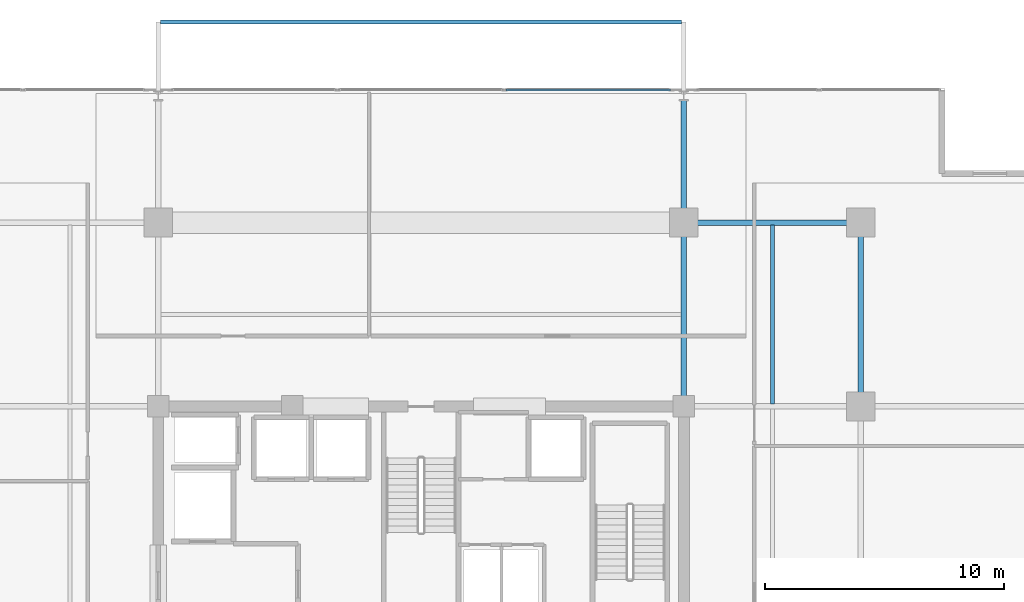
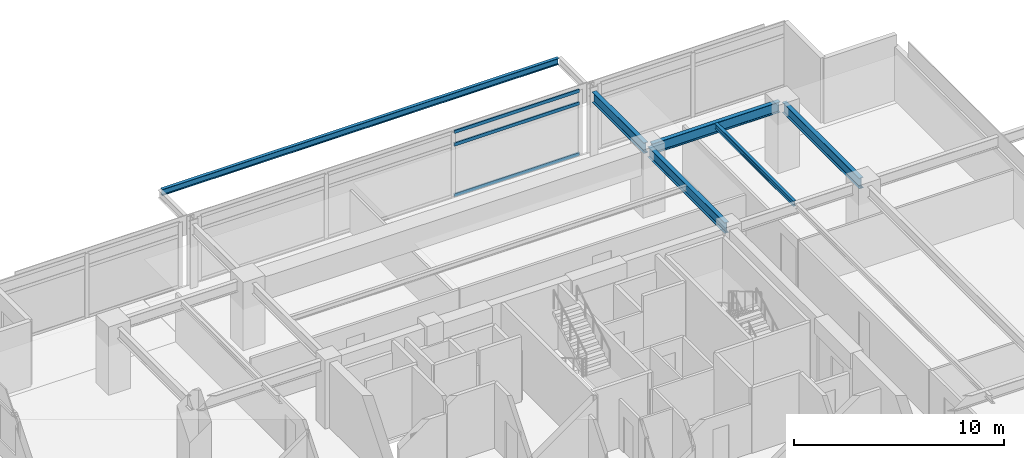
# One storey, part 10 of 20: 6 beams, 3 members, 1 element without a shape of its own.
"""IFC4 building model written with IfcOpenShell, lengths in metres."""

from ifc_helpers import new_model, si_unit, direction, frame, origin, origin_2d, place, context, subcontext, project, spatial, hollow_rectangle, i_section, extrude, material, material_profile, profile_set, type_object, element, aggregate, save


model = new_model("IFC4")

# Units and contexts
model_context = context("Model", 3, precision=1e-05, world=origin(), true_north=direction((0.0, 1.0)))
body_context = subcontext(model_context, "Body", "Model", "MODEL_VIEW")
ifc_project = project(units=[si_unit("LENGTHUNIT", "METRE"), si_unit("AREAUNIT", "SQUARE_METRE"), si_unit("VOLUMEUNIT", "CUBIC_METRE"), si_unit("PLANEANGLEUNIT", "RADIAN"), si_unit("MASSUNIT", "GRAM", prefix="KILO")], contexts=[model_context])

# Site, building, storey
site_placement = place(None, origin())
site = spatial("IfcSite", under=ifc_project, at=site_placement, CompositionType="ELEMENT")
building_placement = place(site_placement, origin())
building = spatial("IfcBuilding", under=site, at=building_placement, Name="Kovane Verandah Tower", CompositionType="ELEMENT")
storey_placement = place(building_placement, frame((0.0, 0.0, 279.199951171875)))
storey = spatial("IfcBuildingStorey", under=building, at=storey_placement, Name="L65", CompositionType="ELEMENT", Elevation=279.199951171875)

# Beams
ifc_material_1 = material(Name="Steel S355", Category="steel")
ifc_material_profile_1 = material_profile(ifc_material_1, i_section(OverallWidth=0.230224609375, OverallDepth=0.6171875, WebThickness=0.01318359375, FlangeThickness=0.022216796875, FilletRadius=0.0126953125, at=origin_2d()), Name="UB610x229x140")
ifc_profile_set_1 = profile_set([ifc_material_profile_1], Name="Steel S355")
beam_type_1 = type_object("IfcBeamType", Name="BM-UB610x140", PredefinedType="BEAM", material=ifc_profile_set_1)
beam_1_placement = place(storey_placement, frame((51.179931640625, 44.199951171875, 3.4765625), z_axis=(1.0, 0.0, 0.0), x_axis=(0.0, 1.0, 0.0)))
element("IfcBeam", 1, at=beam_1_placement, inside=storey, type_object=beam_type_1, Name="L65 Primary Tower Girder G-RN3", PredefinedType="BEAM", context=body_context, shape_type="SweptSolid", body=[
    extrude(i_section(OverallWidth=0.230224609375, OverallDepth=0.6171875, WebThickness=0.01318359375, FlangeThickness=0.022216796875, FilletRadius=0.0126953125, at=origin_2d()), origin(), (0.0, 0.0, 1.0), 7.0400390625),
])
for number, where, z_axis, x_axis, name in (
    (2, (58.39990234375, 36.679931640625, 3.4765625), (0.0, 1.0, 0.0), (-1.0, 0.0, 0.0), "L65 Primary Tower Girder G-RE3"),
    (3, (51.0, 36.679931640625, 3.4765625), (0.0, 1.0, 0.0), (-1.0, 0.0, 0.0), "L65 Primary Tower Girder G-N2"),
):
    element("IfcBeam", number, at=place(storey_placement, frame(where, z_axis=z_axis, x_axis=x_axis)), inside=storey, type_object=beam_type_1, Name=name, PredefinedType="BEAM", context=body_context, shape_type="SweptSolid", body=[
        extrude(i_section(OverallWidth=0.230224609375, OverallDepth=0.6171875, WebThickness=0.01318359375, FlangeThickness=0.022216796875, FilletRadius=0.0126953125, at=origin_2d()), origin(), (0.0, 0.0, 1.0), 7.340087890625),
    ])
beam_2_placement = place(storey_placement, frame((51.0, 44.3798828125, 3.451416015625), z_axis=(0.0, 1.0, 0.0), x_axis=(-1.0, 0.0, 0.0)))
element("IfcBeam", 4, at=beam_2_placement, inside=storey, type_object=beam_type_1, Name="L65 Primary Tower Girder G-VN2", PredefinedType="BEAM", context=body_context, shape_type="SweptSolid", body=[
    extrude(i_section(OverallWidth=0.230224609375, OverallDepth=0.6171875, WebThickness=0.01318359375, FlangeThickness=0.022216796875, FilletRadius=0.0126953125, at=origin_2d()), origin(), (0.0, 0.0, 1.0), 4.940185546875),
])

# Curtain wall, members
ifc_material_2 = material(Name="Champagne Anodised Aluminium Frame with Low-E Clear Laminated Glass", Category="aluminium")
curtain_wall_type = type_object("IfcCurtainWallType", Name="CW-SYS-05-HIGH", PredefinedType="NOTDEFINED", material=ifc_material_2)
curtain_wall_placement = place(storey_placement, origin())
curtain_wall = element("IfcCurtainWall", 5, at=curtain_wall_placement, inside=storey, type_object=curtain_wall_type, Name="L65 N Unitised Curtain Wall-2", PredefinedType="NOTDEFINED")
ifc_material_3 = material(Name="Champagne Anodised Aluminium 6063-T6", Category="aluminium")
ifc_material_profile_2 = material_profile(ifc_material_3, hollow_rectangle(XDim=0.0849609375, YDim=0.18994140625, WallThickness=0.00390625, at=origin_2d()), Name="AL85x190x4")
ifc_profile_set_2 = profile_set([ifc_material_profile_2], Name="Champagne Anodised Aluminium 6063-T6")
member_type = type_object("IfcMemberType", Name="CW-TRN-85x190", PredefinedType="USERDEFINED", material=ifc_profile_set_2)
member_1_placement = place(storey_placement, frame((50.429931640625, 49.75634765625, 0.050048828125), z_axis=(-1.0, 0.0, 0.0), x_axis=(0.0, -1.0, 0.0)))
member_1 = element("IfcMember", 6, at=member_1_placement, type_object=member_type, Name="L65 N Unitised Curtain Wall-2 Transom TB Bay 1", ObjectType="TRANSOM", PredefinedType="USERDEFINED", context=body_context, shape_type="SweptSolid", body=[
    extrude(hollow_rectangle(XDim=0.0849609375, YDim=0.18994140625, WallThickness=0.00390625, at=origin_2d()), origin(), (0.0, 0.0, 1.0), 6.88671875),
])
member_2_placement = place(storey_placement, frame((50.429931640625, 49.75634765625, 3.005126953125), z_axis=(-1.0, 0.0, 0.0), x_axis=(0.0, -1.0, 0.0)))
member_2 = element("IfcMember", 7, at=member_2_placement, type_object=member_type, Name="L65 N Unitised Curtain Wall-2 Transom TM Bay 1", ObjectType="TRANSOM", PredefinedType="USERDEFINED", context=body_context, shape_type="SweptSolid", body=[
    extrude(hollow_rectangle(XDim=0.0849609375, YDim=0.18994140625, WallThickness=0.00390625, at=origin_2d()), origin(), (0.0, 0.0, 1.0), 6.88671875),
])
member_3_placement = place(storey_placement, frame((50.429931640625, 49.75634765625, 3.735107421875), z_axis=(-1.0, 0.0, 0.0), x_axis=(0.0, -1.0, 0.0)))
member_3 = element("IfcMember", 8, at=member_3_placement, type_object=member_type, Name="L65 N Unitised Curtain Wall-2 Transom TT Bay 1", ObjectType="TRANSOM", PredefinedType="USERDEFINED", context=body_context, shape_type="SweptSolid", body=[
    extrude(hollow_rectangle(XDim=0.0849609375, YDim=0.18994140625, WallThickness=0.00390625, at=origin_2d()), origin(), (0.0, 0.0, 1.0), 6.88671875),
])
aggregate(curtain_wall, [member_1, member_2, member_3])

# Beams
ifc_material_profile_3 = material_profile(ifc_material_1, i_section(OverallWidth=0.1669921875, OverallDepth=0.310302734375, WebThickness=0.0078125, FlangeThickness=0.013671875, FilletRadius=0.0087890625, at=origin_2d()), Name="UB305x165x54")
ifc_profile_set_3 = profile_set([ifc_material_profile_3], Name="Steel S355")
beam_type_2 = type_object("IfcBeamType", Name="JST-UB305x54", PredefinedType="JOIST", material=ifc_profile_set_3)
beam_3_placement = place(storey_placement, frame((54.699951171875, 36.613037109375, 3.6298828125), z_axis=(0.0, 1.0, 0.0), x_axis=(-1.0, 0.0, 0.0)))
element("IfcBeam", 9, at=beam_3_placement, inside=storey, type_object=beam_type_2, Name="L65 Secondary Composite Joist J-NE1", PredefinedType="JOIST", context=body_context, shape_type="SweptSolid", body=[
    extrude(i_section(OverallWidth=0.1669921875, OverallDepth=0.310302734375, WebThickness=0.0078125, FlangeThickness=0.013671875, FilletRadius=0.0087890625, at=origin_2d()), origin(), (0.0, 0.0, 1.0), 7.473876953125),
])
ifc_material_profile_4 = material_profile(ifc_material_1, i_section(OverallWidth=0.173095703125, OverallDepth=0.36328125, WebThickness=0.009033203125, FlangeThickness=0.015625, FilletRadius=0.01025390625, at=origin_2d()), Name="UB356x171x67")
ifc_profile_set_4 = profile_set([ifc_material_profile_4], Name="Steel S355")
beam_type_3 = type_object("IfcBeamType", Name="SPD-UB356x67", PredefinedType="USERDEFINED", material=ifc_profile_set_4)
beam_4_placement = place(storey_placement, frame((29.094482421875, 52.59033203125, 3.578369140625), z_axis=(1.0, 0.0, 0.0), x_axis=(0.0, 1.0, 0.0)))
element("IfcBeam", 10, at=beam_4_placement, inside=storey, type_object=beam_type_3, Name="L65 North Planter Edge Spandrel", ObjectType="SPANDREL", PredefinedType="USERDEFINED", context=body_context, shape_type="SweptSolid", body=[
    extrude(i_section(OverallWidth=0.173095703125, OverallDepth=0.36328125, WebThickness=0.009033203125, FlangeThickness=0.015625, FilletRadius=0.01025390625, at=origin_2d()), origin(), (0.0, 0.0, 1.0), 21.81103515625),
])

save(model, "model.ifc")
